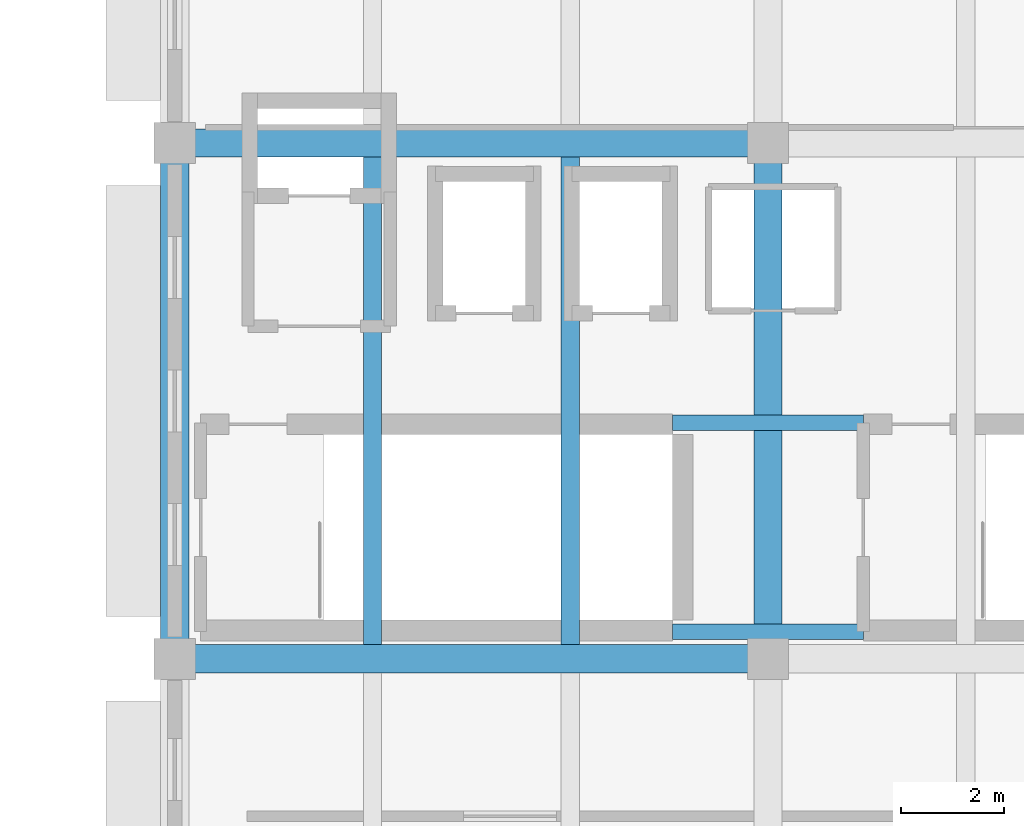
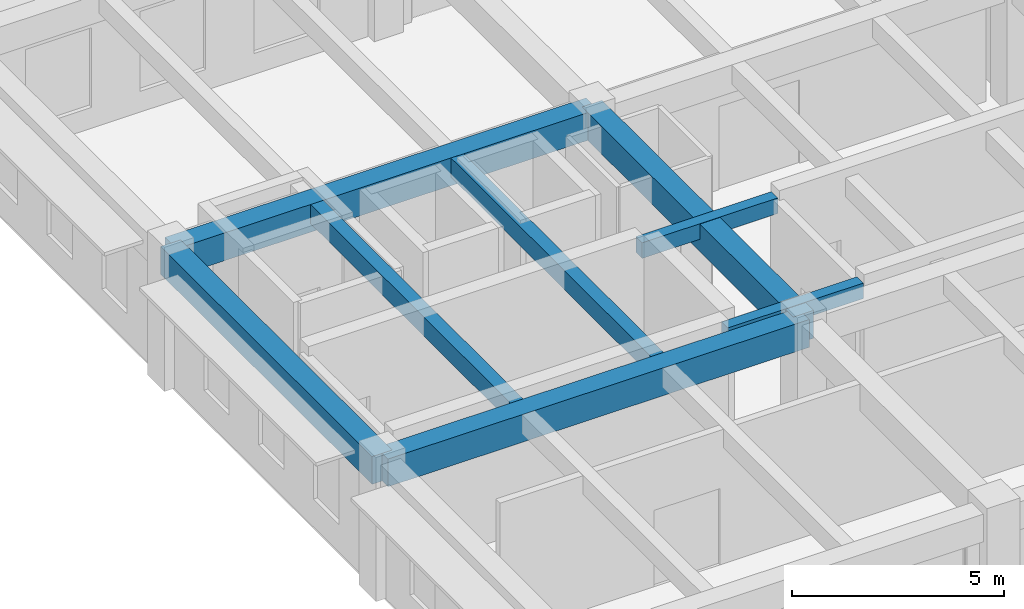
# One storey, part 5 of 33: 8 beams.
"""IFC4 building model written with IfcOpenShell, lengths in metres."""

from ifc_helpers import new_model, si_unit, direction, frame, origin, origin_2d, place, context, subcontext, project, spatial, rectangle, extrude, material, material_profile, profile_set, type_object, element, save


model = new_model("IFC4")

# Units and contexts
model_context = context("Model", 3, precision=1e-05, world=origin(), true_north=direction((0.0, 1.0)))
body_context = subcontext(model_context, "Body", "Model", "MODEL_VIEW")
ifc_project = project(units=[si_unit("LENGTHUNIT", "METRE"), si_unit("AREAUNIT", "SQUARE_METRE"), si_unit("VOLUMEUNIT", "CUBIC_METRE"), si_unit("PLANEANGLEUNIT", "RADIAN"), si_unit("MASSUNIT", "GRAM", prefix="KILO")], contexts=[model_context])

# Site, building, storey
site_placement = place(None, origin())
site = spatial("IfcSite", under=ifc_project, at=site_placement, CompositionType="ELEMENT")
building_placement = place(site_placement, origin())
building = spatial("IfcBuilding", under=site, at=building_placement, Name="Ologun Quay Terminus", CompositionType="ELEMENT")
storey_placement = place(building_placement, frame((0.0, 0.0, 18.300048828125)))
storey = spatial("IfcBuildingStorey", under=building, at=storey_placement, Name="L04", CompositionType="ELEMENT", Elevation=18.300048828125)

# Beams
ifc_material_1 = material(Name="Concrete C40/50", Category="concrete")
ifc_material_profile_1 = material_profile(ifc_material_1, rectangle(XDim=0.300048828125, YDim=0.449951171875, at=origin_2d()), Name="RC 300x450")
ifc_profile_set_1 = profile_set([ifc_material_profile_1], Name="Concrete C40/50")
beam_type_1 = type_object("IfcBeamType", Name="Core Coupling Lintel Beam 300x450", PredefinedType="LINTEL", material=ifc_profile_set_1)
for number, where, z_axis, x_axis, name in (
    (1, (32.64990234375, 95.324951171875, 3.68505859375), (1.0, 0.0, 0.0), (0.0, 1.0, 0.0), "LN1 Beam 4/H L04"),
    (2, (32.64990234375, 99.375, 3.68505859375), (1.0, 0.0, 0.0), (0.0, 1.0, 0.0), "LN1 Beam 4/H L04"),
):
    element("IfcBeam", number, at=place(storey_placement, frame(where, z_axis=z_axis, x_axis=x_axis)), inside=storey, type_object=beam_type_1, Name=name, PredefinedType="LINTEL", context=body_context, shape_type="SweptSolid", body=[
        extrude(rectangle(XDim=0.300048828125, YDim=0.449951171875, at=origin_2d()), origin(), (0.0, 0.0, 1.0), 3.7001953125),
    ])
ifc_material_2 = material(Name="Concrete C40/50", Category="concrete")
ifc_material_profile_2 = material_profile(ifc_material_2, rectangle(XDim=0.550048828125, YDim=0.800048828125, at=origin_2d()), Name="RC 550x800")
ifc_profile_set_2 = profile_set([ifc_material_profile_2], Name="Concrete C40/50")
beam_type_2 = type_object("IfcBeamType", Name="Courtyard Wing Primary Girder 550x800", PredefinedType="BEAM", material=ifc_profile_set_2)
for number, where, z_axis, x_axis, name in (
    (3, (23.0, 94.800048828125, 3.5), (1.0, 0.0, 0.0), (0.0, 1.0, 0.0), "B4 Beam 3/H L04"),
    (4, (23.0, 104.800048828125, 3.5), (1.0, 0.0, 0.0), (0.0, 1.0, 0.0), "B4 Beam 3/J L04"),
):
    element("IfcBeam", number, at=place(storey_placement, frame(where, z_axis=z_axis, x_axis=x_axis)), inside=storey, type_object=beam_type_2, Name=name, PredefinedType="BEAM", context=body_context, shape_type="SweptSolid", body=[
        extrude(rectangle(XDim=0.550048828125, YDim=0.800048828125, at=origin_2d()), origin(), (0.0, 0.0, 1.0), 11.5),
    ])
for number, where, z_axis, x_axis, name in (
    (5, (23.0, 94.800048828125, 3.5), (0.0, 1.0, 0.0), (-1.0, 0.0, 0.0), "B4 Beam 3/H L04"),
    (6, (34.5, 94.800048828125, 3.5), (0.0, 1.0, 0.0), (-1.0, 0.0, 0.0), "B4 Beam 4/H L04"),
):
    element("IfcBeam", number, at=place(storey_placement, frame(where, z_axis=z_axis, x_axis=x_axis)), inside=storey, type_object=beam_type_2, Name=name, PredefinedType="BEAM", context=body_context, shape_type="SweptSolid", body=[
        extrude(rectangle(XDim=0.550048828125, YDim=0.800048828125, at=origin_2d()), origin(), (0.0, 0.0, 1.0), 10.0),
    ])
ifc_material_3 = material(Name="Concrete C40/50", Category="concrete")
ifc_material_profile_3 = material_profile(ifc_material_3, rectangle(XDim=0.35009765625, YDim=0.550048828125, at=origin_2d()), Name="RC 350x550")
ifc_profile_set_3 = profile_set([ifc_material_profile_3], Name="Concrete C40/50")
beam_type_3 = type_object("IfcBeamType", Name="Courtyard Wing Secondary Joist 350x550", PredefinedType="JOIST", material=ifc_profile_set_3)
for number, where, z_axis, x_axis, name in (
    (7, (26.833251953125, 95.074951171875, 3.625), (0.0, 1.0, 0.0), (-1.0, 0.0, 0.0), "J2 Beam 3/H L04"),
    (8, (30.666748046875, 95.074951171875, 3.625), (0.0, 1.0, 0.0), (-1.0, 0.0, 0.0), "J2 Beam 3/H L04"),
):
    element("IfcBeam", number, at=place(storey_placement, frame(where, z_axis=z_axis, x_axis=x_axis)), inside=storey, type_object=beam_type_3, Name=name, PredefinedType="JOIST", context=body_context, shape_type="SweptSolid", body=[
        extrude(rectangle(XDim=0.35009765625, YDim=0.550048828125, at=origin_2d()), origin(), (0.0, 0.0, 1.0), 9.449951171875),
    ])

save(model, "model.ifc")
